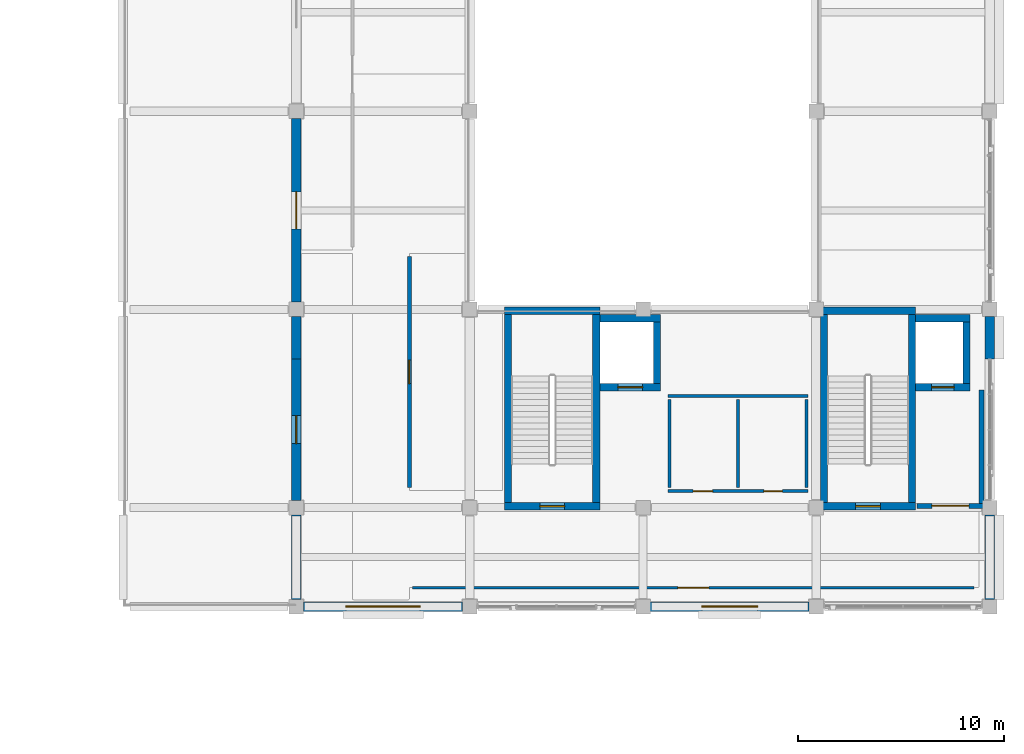
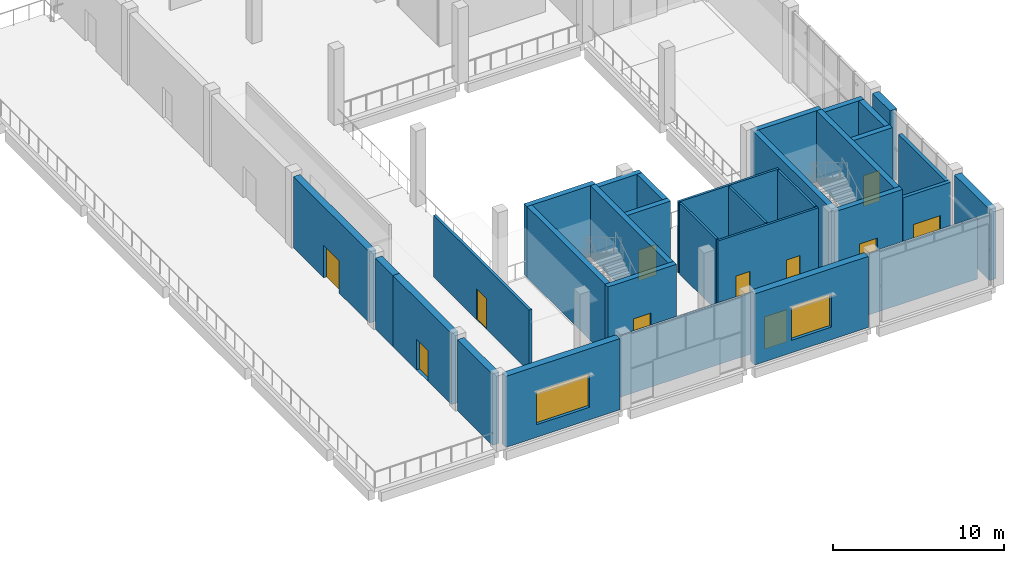
# One storey, part 59 of 83: 31 walls, 11 doors, 2 windows, 13 openings.
"""IFC4 building model written with IfcOpenShell, lengths in metres."""

import ifcopenshell
import ifcopenshell.guid

model = None  # the IFC model being written
_history = None  # IfcOwnerHistory: only IFC2X3 demands one
_inside = {}  # id of a spatial element -> (the spatial element, [elements in it])
_under = {}  # id of a project, library or spatial element -> (it, [spatial elements below it])
_declared = {}  # id of a project -> (the project, [libraries it declares])
_typed = {}  # id of a type object -> (the type object, [elements of that type])
_made_of = {}  # id of a material, layer set ... -> (it, [elements and type objects made of it])


def new_model(schema):
    """Start an empty IFC model of exactly this schema.

    Asked for "IFC4X3", IfcOpenShell would pick the latest addendum, in which some entities
    have other attributes; the version numbers below select the first issue.
    IFC2X3 requires an IfcOwnerHistory on every rooted entity: one is made here for all.
    """
    global model, _history
    if schema == "IFC4X3":
        model = ifcopenshell.file(schema_version=(4, 3, 0, 0))
    else:
        model = ifcopenshell.file(schema=schema)
    _inside.clear()
    _under.clear()
    _declared.clear()
    _typed.clear()
    _made_of.clear()
    _history = None
    if model.schema == "IFC2X3":
        org = make("IfcOrganization", Name="unknown")
        user = make(
            "IfcPersonAndOrganization",
            ThePerson=make("IfcPerson", FamilyName="unknown"),
            TheOrganization=org,
        )
        app = make(
            "IfcApplication",
            ApplicationDeveloper=org,
            Version="unknown",
            ApplicationFullName="unknown",
            ApplicationIdentifier="unknown",
        )
        _history = make(
            "IfcOwnerHistory",
            OwningUser=user,
            OwningApplication=app,
            ChangeAction="ADDED",
            CreationDate=0,
        )
    return model


def make(cls, **values):
    """One entity of the class cls with the attributes given. An attribute that is None is left unset."""
    return model.create_entity(
        cls, **{name: value for name, value in values.items() if value is not None}
    )


def rooted(cls, **values):
    """An entity with a GlobalId (a new one), such as an element, a storey or a relation."""
    return make(cls, GlobalId=ifcopenshell.guid.new(), OwnerHistory=_history, **values)


def si_unit(unit_type, name, prefix=None):
    """IfcSIUnit, for example si_unit("LENGTHUNIT", "METRE", prefix="MILLI")."""
    return make("IfcSIUnit", UnitType=unit_type, Prefix=prefix, Name=name)


def assignment(units):
    """IfcUnitAssignment: the units of a project."""
    return None if units is None else make("IfcUnitAssignment", Units=units)


def point(xyz):
    """IfcCartesianPoint."""
    return None if xyz is None else make("IfcCartesianPoint", Coordinates=xyz)


def direction(xyz):
    """IfcDirection."""
    return None if xyz is None else make("IfcDirection", DirectionRatios=xyz)


def frame(location, z_axis=None, x_axis=None):
    """IfcAxis2Placement3D, a coordinate frame: its origin and axes. An axis left out is left unset."""
    return make(
        "IfcAxis2Placement3D",
        Location=point(location),
        Axis=direction(z_axis),
        RefDirection=direction(x_axis),
    )


def frame_2d(location, x_axis=None):
    """IfcAxis2Placement2D, a coordinate frame in the plane: its origin and x axis."""
    return make(
        "IfcAxis2Placement2D", Location=point(location), RefDirection=direction(x_axis)
    )


def origin():
    """The frame at (0, 0, 0) with its axes left unset."""
    return frame((0.0, 0.0, 0.0))


def place(relative_to, where):
    """IfcLocalPlacement: puts the frame where relative to a parent placement (None: the world)."""
    return make(
        "IfcLocalPlacement", PlacementRelTo=relative_to, RelativePlacement=where
    )


def context(
    kind, dimensions, precision=None, world=None, true_north=None, identifier=None
):
    """IfcGeometricRepresentationContext, for example the 3D "Model" context."""
    return make(
        "IfcGeometricRepresentationContext",
        ContextIdentifier=identifier,
        ContextType=kind,
        CoordinateSpaceDimension=dimensions,
        Precision=precision,
        WorldCoordinateSystem=world,
        TrueNorth=true_north,
    )


def subcontext(parent, identifier, kind, view, scale=None):
    """IfcGeometricRepresentationSubContext, for example "Body" below "Model"."""
    return make(
        "IfcGeometricRepresentationSubContext",
        ContextIdentifier=identifier,
        ContextType=kind,
        ParentContext=parent,
        TargetScale=scale,
        TargetView=view,
    )


def project(units=None, contexts=None):
    """IfcProject with its units and contexts."""
    return rooted(
        "IfcProject",
        Name="project",
        RepresentationContexts=contexts,
        UnitsInContext=assignment(units),
    )


def spatial(cls, under=None, at=None, **own):
    """A site, building, storey or space (cls), placed at a placement, below another one or the project."""
    s = rooted(cls, ObjectPlacement=at, **own)
    if under is not None:
        _under.setdefault(under.id(), (under, []))[1].append(s)
    return s


def profile(cls, at=None, kind="AREA", **sizes):
    """A parametric profile (cls). Its sizes go by their IFC names, for example OverallWidth=200.0."""
    return make(cls, ProfileType=kind, Position=at, **sizes)


def rectangle(**sizes):
    """IfcRectangleProfileDef."""
    return profile("IfcRectangleProfileDef", **sizes)


def extrude(swept, where, along, depth):
    """IfcExtrudedAreaSolid: the profile swept, set in the frame where, extruded along a direction by depth."""
    return make(
        "IfcExtrudedAreaSolid",
        SweptArea=swept,
        Position=where,
        ExtrudedDirection=direction(along),
        Depth=depth,
    )


def shape(context_of_items, identifier, shape_type, items):
    """IfcShapeRepresentation: the items that make up one representation, for example the "Body"."""
    return make(
        "IfcShapeRepresentation",
        ContextOfItems=context_of_items,
        RepresentationIdentifier=identifier,
        RepresentationType=shape_type,
        Items=items,
    )


def material(Name=None, Category=None):
    """IfcMaterial."""
    return make("IfcMaterial", Name=Name, Category=Category)


def layer(
    of_material, thickness, ventilated=None, Name=None, Category=None, Priority=None
):
    """IfcMaterialLayer: one layer of a wall or slab, of a material (None: an air gap)."""
    return make(
        "IfcMaterialLayer",
        Material=of_material,
        LayerThickness=thickness,
        IsVentilated=ventilated,
        Name=Name,
        Category=Category,
        Priority=Priority,
    )


def layer_set(layers, Name=None):
    """IfcMaterialLayerSet."""
    return make("IfcMaterialLayerSet", MaterialLayers=layers, LayerSetName=Name)


def made_of(thing, what):
    """Note that an element or type object is made of a material, layer set ...; save() writes the relation."""
    if what is not None:
        _made_of.setdefault(what.id(), (what, []))[1].append(thing)
    return thing


def type_object(cls, material=None, **own):
    """A type object (cls), such as IfcWallType, which elements share."""
    return made_of(rooted(cls, **own), material)


def element(
    cls,
    number,
    at=None,
    inside=None,
    cuts=None,
    type_object=None,
    material=None,
    context=None,
    identifier="Body",
    shape_type=None,
    held_by="IfcProductDefinitionShape",
    body=None,
    shapes=None,
    **own,
):
    """One element of the class cls, such as IfcWall. Its Tag is "e" and its number.

    at: its placement. inside: the storey or other place that contains it. cuts: it is an
    opening in that element (IfcRelVoidsElement). A single representation is given by context,
    identifier, shape_type and body (its items); several are given by shapes. held_by: the class
    of the entity that holds the representations. save() writes the other relations.
    """
    e = rooted(cls, Tag="e%d" % number, ObjectPlacement=at, **own)
    if body is not None:
        shapes = [shape(context, identifier, shape_type, body)]
    if shapes is not None:
        e.Representation = make(held_by, Representations=shapes)
    if inside is not None:
        _inside.setdefault(inside.id(), (inside, []))[1].append(e)
    if cuts is not None:
        rooted(
            "IfcRelVoidsElement", RelatingBuildingElement=cuts, RelatedOpeningElement=e
        )
    if type_object is not None:
        _typed.setdefault(type_object.id(), (type_object, []))[1].append(e)
    return made_of(e, material)


def fill(opening, filler):
    """IfcRelFillsElement: the door or window that sits in an opening."""
    return rooted(
        "IfcRelFillsElement",
        RelatingOpeningElement=opening,
        RelatedBuildingElement=filler,
    )


def aggregate(whole, parts):
    """IfcRelAggregates: a whole, such as a stair, and the parts it consists of."""
    return rooted("IfcRelAggregates", RelatingObject=whole, RelatedObjects=parts)


def save(model, path):
    """Write the relations noted so far, then the file.

    IfcRelAggregates (storeys below a building ...), IfcRelContainedInSpatialStructure (elements
    in a storey), IfcRelDefinesByType, IfcRelAssociatesMaterial and IfcRelDeclares: one each for
    every whole, place, type object, material and project.
    """
    for whole, parts in _under.values():
        aggregate(whole, parts)
    for where, things in _inside.values():
        rooted(
            "IfcRelContainedInSpatialStructure",
            RelatedElements=things,
            RelatingStructure=where,
        )
    for kind, things in _typed.values():
        rooted("IfcRelDefinesByType", RelatedObjects=things, RelatingType=kind)
    for what, things in _made_of.values():
        rooted("IfcRelAssociatesMaterial", RelatedObjects=things, RelatingMaterial=what)
    for by, libraries in _declared.values():
        rooted("IfcRelDeclares", RelatingContext=by, RelatedDefinitions=libraries)
    model.write(path)


model = new_model("IFC4")

# Units and contexts
model_context = context("Model", 3, precision=1e-05, world=origin(), true_north=direction((0.0, 1.0)))
body_context = subcontext(model_context, "Body", "Model", "MODEL_VIEW")
ifc_project = project(units=[si_unit("LENGTHUNIT", "METRE"), si_unit("AREAUNIT", "SQUARE_METRE"), si_unit("VOLUMEUNIT", "CUBIC_METRE"), si_unit("PLANEANGLEUNIT", "RADIAN"), si_unit("MASSUNIT", "GRAM", prefix="KILO")], contexts=[model_context])

# Site, building, storey
site_placement = place(None, origin())
site = spatial("IfcSite", under=ifc_project, at=site_placement, CompositionType="ELEMENT")
building_placement = place(site_placement, origin())
building = spatial("IfcBuilding", under=site, at=building_placement, Name="Shalvenor Court Art Gallery", CompositionType="ELEMENT")
storey_placement = place(building_placement, frame((0.0, 0.0, 6.0)))
storey = spatial("IfcBuildingStorey", under=building, at=storey_placement, Name="L01", CompositionType="ELEMENT", Elevation=6.0)

# Walls
ifc_material_1 = material(Name="Concrete C40/50", Category="concrete")
ifc_layer_1 = layer(ifc_material_1, 0.35009765625, Name="Concrete C40/50")
ifc_layer_set_1 = layer_set([ifc_layer_1], Name="Concrete C40/50")
wall_type_1 = type_object("IfcWallType", Name="CW-W1", PredefinedType="SHEAR", material=ifc_layer_set_1)
wall_1_placement = place(storey_placement, frame((168.18798828125, 59.93701171875, 0.0), z_axis=(0.0, 0.0, 1.0), x_axis=(1.0, 0.0, 0.0)))
element("IfcWall", 1, at=wall_1_placement, inside=storey, type_object=wall_type_1, Name="L01 C2 Stair Core Shear Wall N", PredefinedType="SHEAR", context=body_context, shape_type="SweptSolid", body=[
    extrude(rectangle(XDim=4.6240234375, YDim=0.35009765625, at=frame_2d((2.31201171875, 0.0))), origin(), (0.0, 0.0, 1.0), 5.080078125),
])
wall_2_placement = place(storey_placement, frame((172.636962890625, 59.761962890625, 0.0), z_axis=(0.0, 0.0, 1.0), x_axis=(0.0, -1.0, 0.0)))
element("IfcWall", 2, at=wall_2_placement, inside=storey, type_object=wall_type_1, Name="L01 C2 Stair Core Shear Wall E", PredefinedType="SHEAR", context=body_context, shape_type="SweptSolid", body=[
    extrude(rectangle(XDim=9.1240234375, YDim=0.35009765625, at=frame_2d((4.56201171875, 0.0))), origin(), (0.0, 0.0, 1.0), 5.080078125),
])

# Wall, opening, door
wall_3_placement = place(storey_placement, frame((172.81201171875, 50.462890625, 0.0), z_axis=(0.0, 0.0, 1.0), x_axis=(-1.0, 0.0, 0.0)))
wall_3 = element("IfcWall", 3, at=wall_3_placement, inside=storey, type_object=wall_type_1, Name="L01 C2 Stair Core Shear Wall S", PredefinedType="SHEAR", context=body_context, shape_type="SweptSolid", body=[
    extrude(rectangle(XDim=4.6240234375, YDim=0.35009765625, at=frame_2d((2.31201171875, 0.0))), origin(), (0.0, 0.0, 1.0), 5.080078125),
])
opening_1_placement = place(wall_3_placement, frame((1.7119140625, 0.0, 0.0)))
opening_1 = element("IfcOpeningElement", 4, at=opening_1_placement, cuts=wall_3, Name="Opening FD-01", PredefinedType="OPENING", context=body_context, shape_type="SweptSolid", body=[
    extrude(rectangle(XDim=1.199951171875, YDim=2.199951171875, at=frame_2d((0.60009765625, 1.10009765625))), frame((0.0, 0.18505859375, 0.0), z_axis=(0.0, -1.0, 0.0), x_axis=(1.0, 0.0, 0.0)), (0.0, 0.0, 1.0), 0.3701171875),
])
ifc_material_2 = material(Name="Fire-rated steel stair doorset", Category="steel")
door_type_1 = type_object("IfcDoorType", Name="FD-01", OperationType="NOTDEFINED", PredefinedType="DOOR", material=ifc_material_2)
door_1_placement = place(opening_1_placement, origin())
door_1 = element("IfcDoor", 5, at=door_1_placement, inside=storey, type_object=door_type_1, Name="DR-ST-L01-C2 L01 ST-02 Fire Stair Door", OperationType="SINGLE_SWING_LEFT", OverallHeight=2.199951171875, OverallWidth=1.199951171875, PredefinedType="DOOR", context=body_context, shape_type="SweptSolid", body=[
    extrude(rectangle(XDim=1.199951171875, YDim=2.199951171875, at=frame_2d((0.60009765625, 1.10009765625))), frame((0.0, 0.02490234375, 0.0), z_axis=(0.0, -1.0, 0.0), x_axis=(1.0, 0.0, 0.0)), (0.0, 0.0, 1.0), 0.050048828125),
])
fill(opening_1, door_1)

# Walls
wall_4_placement = place(storey_placement, frame((168.363037109375, 50.637939453125, 0.0), z_axis=(0.0, 0.0, 1.0), x_axis=(0.0, 1.0, 0.0)))
element("IfcWall", 6, at=wall_4_placement, inside=storey, type_object=wall_type_1, Name="L01 C2 Stair Core Shear Wall W", PredefinedType="SHEAR", context=body_context, shape_type="SweptSolid", body=[
    extrude(rectangle(XDim=9.1240234375, YDim=0.35009765625, at=frame_2d((4.56201171875, 0.0))), origin(), (0.0, 0.0, 1.0), 5.080078125),
])
wall_5_placement = place(storey_placement, frame((172.81201171875, 59.574951171875, 0.0), z_axis=(0.0, 0.0, 1.0), x_axis=(1.0, 0.0, 0.0)))
element("IfcWall", 7, at=wall_5_placement, inside=storey, type_object=wall_type_1, Name="L01 FL-02 Lift Shaft Wall N", PredefinedType="SHEAR", context=body_context, shape_type="SweptSolid", body=[
    extrude(rectangle(XDim=2.637939453125, YDim=0.35009765625, at=frame_2d((1.31884765625, 0.0))), origin(), (0.0, 0.0, 1.0), 5.080078125),
])
wall_6_placement = place(storey_placement, frame((175.27490234375, 59.39990234375, 0.0), z_axis=(0.0, 0.0, 1.0), x_axis=(0.0, -1.0, 0.0)))
element("IfcWall", 8, at=wall_6_placement, inside=storey, type_object=wall_type_1, Name="L01 FL-02 Lift Shaft Wall E", PredefinedType="SHEAR", context=body_context, shape_type="SweptSolid", body=[
    extrude(rectangle(XDim=3.0, YDim=0.35009765625, at=frame_2d((1.5, 0.0))), origin(), (0.0, 0.0, 1.0), 5.080078125),
])

# Wall, opening, door
wall_7_placement = place(storey_placement, frame((175.449951171875, 56.22509765625, 0.0), z_axis=(0.0, 0.0, 1.0), x_axis=(-1.0, 0.0, 0.0)))
wall_7 = element("IfcWall", 9, at=wall_7_placement, inside=storey, type_object=wall_type_1, Name="L01 FL-02 Lift Shaft Wall S", PredefinedType="SHEAR", context=body_context, shape_type="SweptSolid", body=[
    extrude(rectangle(XDim=2.637939453125, YDim=0.35009765625, at=frame_2d((1.31884765625, 0.0))), origin(), (0.0, 0.0, 1.0), 5.080078125),
])
opening_2_placement = place(wall_7_placement, frame((0.76904296875, 0.0, 0.0)))
opening_2 = element("IfcOpeningElement", 10, at=opening_2_placement, cuts=wall_7, Name="Opening LD-01", PredefinedType="OPENING", context=body_context, shape_type="SweptSolid", body=[
    extrude(rectangle(XDim=1.10009765625, YDim=2.199951171875, at=frame_2d((0.550048828125, 1.10009765625))), frame((0.0, 0.18505859375, 0.0), z_axis=(0.0, -1.0, 0.0), x_axis=(1.0, 0.0, 0.0)), (0.0, 0.0, 1.0), 0.3701171875),
])
ifc_material_3 = material(Name="Stainless steel firefighting lift sliding landing door", Category="steel")
door_type_2 = type_object("IfcDoorType", Name="LD-01", OperationType="NOTDEFINED", PredefinedType="DOOR", material=ifc_material_3)
door_2_placement = place(opening_2_placement, origin())
door_2 = element("IfcDoor", 11, at=door_2_placement, inside=storey, type_object=door_type_2, Name="DR-LD-L01-FL-02 L01 FL-02 Lift Landing Sliding Door", OperationType="DOUBLE_DOOR_SLIDING", OverallHeight=2.199951171875, OverallWidth=1.10009765625, PredefinedType="DOOR", context=body_context, shape_type="SweptSolid", body=[
    extrude(rectangle(XDim=1.10009765625, YDim=2.199951171875, at=frame_2d((0.550048828125, 1.10009765625))), frame((0.0, 0.02490234375, 0.0), z_axis=(0.0, -1.0, 0.0), x_axis=(1.0, 0.0, 0.0)), (0.0, 0.0, 1.0), 0.050048828125),
])
fill(opening_2, door_2)

# Walls
wall_8_placement = place(storey_placement, frame((152.887939453125, 59.93701171875, 0.0), z_axis=(0.0, 0.0, 1.0), x_axis=(1.0, 0.0, 0.0)))
element("IfcWall", 12, at=wall_8_placement, inside=storey, type_object=wall_type_1, Name="L01 C3 Stair Core Shear Wall N", PredefinedType="SHEAR", context=body_context, shape_type="SweptSolid", body=[
    extrude(rectangle(XDim=4.6240234375, YDim=0.35009765625, at=frame_2d((2.31201171875, 0.0))), origin(), (0.0, 0.0, 1.0), 5.080078125),
])
wall_9_placement = place(storey_placement, frame((157.3369140625, 59.761962890625, 0.0), z_axis=(0.0, 0.0, 1.0), x_axis=(0.0, -1.0, 0.0)))
element("IfcWall", 13, at=wall_9_placement, inside=storey, type_object=wall_type_1, Name="L01 C3 Stair Core Shear Wall E", PredefinedType="SHEAR", context=body_context, shape_type="SweptSolid", body=[
    extrude(rectangle(XDim=9.1240234375, YDim=0.35009765625, at=frame_2d((4.56201171875, 0.0))), origin(), (0.0, 0.0, 1.0), 5.080078125),
])

# Wall, opening, door
wall_10_placement = place(storey_placement, frame((157.511962890625, 50.462890625, 0.0), z_axis=(0.0, 0.0, 1.0), x_axis=(-1.0, 0.0, 0.0)))
wall_10 = element("IfcWall", 14, at=wall_10_placement, inside=storey, type_object=wall_type_1, Name="L01 C3 Stair Core Shear Wall S", PredefinedType="SHEAR", context=body_context, shape_type="SweptSolid", body=[
    extrude(rectangle(XDim=4.6240234375, YDim=0.35009765625, at=frame_2d((2.31201171875, 0.0))), origin(), (0.0, 0.0, 1.0), 5.080078125),
])
opening_3_placement = place(wall_10_placement, frame((1.7119140625, 0.0, 0.0)))
opening_3 = element("IfcOpeningElement", 15, at=opening_3_placement, cuts=wall_10, Name="Opening FD-01", PredefinedType="OPENING", context=body_context, shape_type="SweptSolid", body=[
    extrude(rectangle(XDim=1.199951171875, YDim=2.199951171875, at=frame_2d((0.60009765625, 1.10009765625))), frame((0.0, 0.18505859375, 0.0), z_axis=(0.0, -1.0, 0.0), x_axis=(1.0, 0.0, 0.0)), (0.0, 0.0, 1.0), 0.3701171875),
])
door_3_placement = place(opening_3_placement, origin())
door_3 = element("IfcDoor", 16, at=door_3_placement, inside=storey, type_object=door_type_1, Name="DR-ST-L01-C3 L01 ST-03 Fire Stair Door", OperationType="SINGLE_SWING_RIGHT", OverallHeight=2.199951171875, OverallWidth=1.199951171875, PredefinedType="DOOR", context=body_context, shape_type="SweptSolid", body=[
    extrude(rectangle(XDim=1.199951171875, YDim=2.199951171875, at=frame_2d((0.60009765625, 1.10009765625))), frame((0.0, 0.02490234375, 0.0), z_axis=(0.0, -1.0, 0.0), x_axis=(1.0, 0.0, 0.0)), (0.0, 0.0, 1.0), 0.050048828125),
])
fill(opening_3, door_3)

# Walls
wall_11_placement = place(storey_placement, frame((153.06298828125, 50.637939453125, 0.0), z_axis=(0.0, 0.0, 1.0), x_axis=(0.0, 1.0, 0.0)))
element("IfcWall", 17, at=wall_11_placement, inside=storey, type_object=wall_type_1, Name="L01 C3 Stair Core Shear Wall W", PredefinedType="SHEAR", context=body_context, shape_type="SweptSolid", body=[
    extrude(rectangle(XDim=9.1240234375, YDim=0.35009765625, at=frame_2d((4.56201171875, 0.0))), origin(), (0.0, 0.0, 1.0), 5.080078125),
])
wall_12_placement = place(storey_placement, frame((157.511962890625, 59.574951171875, 0.0), z_axis=(0.0, 0.0, 1.0), x_axis=(1.0, 0.0, 0.0)))
element("IfcWall", 18, at=wall_12_placement, inside=storey, type_object=wall_type_1, Name="L01 PL-01 Lift Shaft Wall N", PredefinedType="SHEAR", context=body_context, shape_type="SweptSolid", body=[
    extrude(rectangle(XDim=2.93798828125, YDim=0.35009765625, at=frame_2d((1.468994140625, 0.0))), origin(), (0.0, 0.0, 1.0), 5.080078125),
])
wall_13_placement = place(storey_placement, frame((160.27490234375, 59.39990234375, 0.0), z_axis=(0.0, 0.0, 1.0), x_axis=(0.0, -1.0, 0.0)))
element("IfcWall", 19, at=wall_13_placement, inside=storey, type_object=wall_type_1, Name="L01 PL-01 Lift Shaft Wall E", PredefinedType="SHEAR", context=body_context, shape_type="SweptSolid", body=[
    extrude(rectangle(XDim=3.0, YDim=0.35009765625, at=frame_2d((1.5, 0.0))), origin(), (0.0, 0.0, 1.0), 5.080078125),
])

# Wall, opening, door
wall_14_placement = place(storey_placement, frame((160.449951171875, 56.22509765625, 0.0), z_axis=(0.0, 0.0, 1.0), x_axis=(-1.0, 0.0, 0.0)))
wall_14 = element("IfcWall", 20, at=wall_14_placement, inside=storey, type_object=wall_type_1, Name="L01 PL-01 Lift Shaft Wall S", PredefinedType="SHEAR", context=body_context, shape_type="SweptSolid", body=[
    extrude(rectangle(XDim=2.93798828125, YDim=0.35009765625, at=frame_2d((1.468994140625, 0.0))), origin(), (0.0, 0.0, 1.0), 5.080078125),
])
opening_4_placement = place(wall_14_placement, frame((0.868896484375, 0.0, 0.0)))
opening_4 = element("IfcOpeningElement", 21, at=opening_4_placement, cuts=wall_14, Name="Opening LD-02", PredefinedType="OPENING", context=body_context, shape_type="SweptSolid", body=[
    extrude(rectangle(XDim=1.199951171875, YDim=2.199951171875, at=frame_2d((0.60009765625, 1.10009765625))), frame((0.0, 0.18505859375, 0.0), z_axis=(0.0, -1.0, 0.0), x_axis=(1.0, 0.0, 0.0)), (0.0, 0.0, 1.0), 0.3701171875),
])
ifc_material_4 = material(Name="Brushed stainless passenger lift sliding landing door", Category="steel")
door_type_3 = type_object("IfcDoorType", Name="LD-02", OperationType="NOTDEFINED", PredefinedType="DOOR", material=ifc_material_4)
door_4_placement = place(opening_4_placement, origin())
door_4 = element("IfcDoor", 22, at=door_4_placement, inside=storey, type_object=door_type_3, Name="DR-LD-L01-PL-01 L01 PL-01 Lift Landing Sliding Door", OperationType="DOUBLE_DOOR_SLIDING", OverallHeight=2.199951171875, OverallWidth=1.199951171875, PredefinedType="DOOR", context=body_context, shape_type="SweptSolid", body=[
    extrude(rectangle(XDim=1.199951171875, YDim=2.199951171875, at=frame_2d((0.60009765625, 1.10009765625))), frame((0.0, 0.02490234375, 0.0), z_axis=(0.0, -1.0, 0.0), x_axis=(1.0, 0.0, 0.0)), (0.0, 0.0, 1.0), 0.050048828125),
])
fill(opening_4, door_4)

# Walls
ifc_material_5 = material(Name="Concrete C40/50", Category="concrete")
ifc_layer_2 = layer(ifc_material_5, 0.4599609375, Name="Concrete C40/50")
ifc_layer_set_2 = layer_set([ifc_layer_2], Name="Concrete C40/50")
wall_type_2 = type_object("IfcWallType", Name="EW-01", PredefinedType="SOLIDWALL", material=ifc_layer_set_2)
wall_15_placement = place(storey_placement, frame((176.39990234375, 59.64990234375, 0.0), z_axis=(0.0, 0.0, 1.0), x_axis=(0.0, -1.0, 0.0)))
element("IfcWall", 23, at=wall_15_placement, inside=storey, type_object=wall_type_2, Name="L01 V1 Exterior Wall WL-L01-0051", PredefinedType="SOLIDWALL", context=body_context, shape_type="SweptSolid", body=[
    extrude(rectangle(XDim=2.0498046875, YDim=0.4599609375, at=frame_2d((1.02490234375, 0.0))), origin(), (0.0, 0.0, 1.0), 5.080078125),
])
wall_16_placement = place(storey_placement, frame((176.39990234375, 50.050048828125, 0.0), z_axis=(0.0, 0.0, 1.0), x_axis=(0.0, -1.0, 0.0)))
element("IfcWall", 24, at=wall_16_placement, inside=storey, type_object=wall_type_2, Name="L01 V1 Exterior Wall WL-L01-0052", PredefinedType="SOLIDWALL", context=body_context, shape_type="SweptSolid", body=[
    extrude(rectangle(XDim=4.10009765625, YDim=0.4599609375, at=frame_2d((2.050048828125, 0.0))), origin(), (0.0, 0.0, 1.0), 5.080078125),
])

# Wall, opening, window
wall_17_placement = place(storey_placement, frame((167.64990234375, 45.60009765625, 0.0), z_axis=(0.0, 0.0, 1.0), x_axis=(-1.0, 0.0, 0.0)))
wall_17 = element("IfcWall", 25, at=wall_17_placement, inside=storey, type_object=wall_type_2, Name="L01 V1 Exterior Wall WL-L01-0053", PredefinedType="SOLIDWALL", context=body_context, shape_type="SweptSolid", body=[
    extrude(rectangle(XDim=7.699951171875, YDim=0.4599609375, at=frame_2d((3.85009765625, 0.0))), origin(), (0.0, 0.0, 1.0), 5.080078125),
])
opening_5_placement = place(wall_17_placement, frame((2.5, 0.0, 0.89990234375)))
opening_5 = element("IfcOpeningElement", 26, at=opening_5_placement, cuts=wall_17, Name="Opening WN-03", PredefinedType="OPENING", context=body_context, shape_type="SweptSolid", body=[
    extrude(rectangle(XDim=2.699951171875, YDim=2.39990234375, at=frame_2d((1.35009765625, 1.199951171875))), frame((0.0, 0.239990234375, 0.0), z_axis=(0.0, -1.0, 0.0), x_axis=(1.0, 0.0, 0.0)), (0.0, 0.0, 1.0), 0.47998046875),
])
ifc_material_6 = material(Name="Low-iron solar-control double IGU", Category="glass")
window_type_1 = type_object("IfcWindowType", Name="WN-03", PartitioningType="SINGLE_PANEL", PredefinedType="WINDOW", material=ifc_material_6)
window_1_placement = place(opening_5_placement, origin())
window_1 = element("IfcWindow", 27, at=window_1_placement, inside=storey, type_object=window_type_1, Name="L01 Window WIN-L01-0003", OverallHeight=2.39990234375, OverallWidth=2.699951171875, PartitioningType="SINGLE_PANEL", PredefinedType="WINDOW", context=body_context, shape_type="SweptSolid", body=[
    extrude(rectangle(XDim=2.699951171875, YDim=2.39990234375, at=frame_2d((1.35009765625, 1.199951171875))), frame((0.0, 0.030029296875, 0.0), z_axis=(0.0, -1.0, 0.0), x_axis=(1.0, 0.0, 0.0)), (0.0, 0.0, 1.0), 0.06005859375),
])
fill(opening_5, window_1)

wall_18_placement = place(storey_placement, frame((150.85009765625, 45.60009765625, 0.0), z_axis=(0.0, 0.0, 1.0), x_axis=(-1.0, 0.0, 0.0)))
wall_18 = element("IfcWall", 28, at=wall_18_placement, inside=storey, type_object=wall_type_2, Name="L01 V1 Exterior Wall WL-L01-0054", PredefinedType="SOLIDWALL", context=body_context, shape_type="SweptSolid", body=[
    extrude(rectangle(XDim=7.7001953125, YDim=0.4599609375, at=frame_2d((3.85009765625, 0.0))), origin(), (0.0, 0.0, 1.0), 5.080078125),
])
opening_6_placement = place(wall_18_placement, frame((2.050048828125, 0.0, 0.89990234375)))
opening_6 = element("IfcOpeningElement", 29, at=opening_6_placement, cuts=wall_18, Name="Opening WN-04", PredefinedType="OPENING", context=body_context, shape_type="SweptSolid", body=[
    extrude(rectangle(XDim=3.60009765625, YDim=2.39990234375, at=frame_2d((1.800048828125, 1.199951171875))), frame((0.0, 0.239990234375, 0.0), z_axis=(0.0, -1.0, 0.0), x_axis=(1.0, 0.0, 0.0)), (0.0, 0.0, 1.0), 0.47998046875),
])
ifc_material_7 = material(Name="Low-iron solar-control double IGU", Category="glass")
window_type_2 = type_object("IfcWindowType", Name="WN-04", PartitioningType="SINGLE_PANEL", PredefinedType="WINDOW", material=ifc_material_7)
window_2_placement = place(opening_6_placement, origin())
window_2 = element("IfcWindow", 30, at=window_2_placement, inside=storey, type_object=window_type_2, Name="L01 Window WIN-L01-0004", OverallHeight=2.39990234375, OverallWidth=3.60009765625, PartitioningType="SINGLE_PANEL", PredefinedType="WINDOW", context=body_context, shape_type="SweptSolid", body=[
    extrude(rectangle(XDim=3.60009765625, YDim=2.39990234375, at=frame_2d((1.800048828125, 1.199951171875))), frame((0.0, 0.030029296875, 0.0), z_axis=(0.0, -1.0, 0.0), x_axis=(1.0, 0.0, 0.0)), (0.0, 0.0, 1.0), 0.06005859375),
])
fill(opening_6, window_2)

# Wall
wall_19_placement = place(storey_placement, frame((142.800048828125, 45.949951171875, 0.0), z_axis=(0.0, 0.0, 1.0), x_axis=(0.0, 1.0, 0.0)))
element("IfcWall", 31, at=wall_19_placement, inside=storey, type_object=wall_type_2, Name="L01 V1 Exterior Wall WL-L01-0055", PredefinedType="SOLIDWALL", context=body_context, shape_type="SweptSolid", body=[
    extrude(rectangle(XDim=4.10009765625, YDim=0.4599609375, at=frame_2d((2.050048828125, 0.0))), origin(), (0.0, 0.0, 1.0), 5.080078125),
])

# Wall, opening, door
wall_20_placement = place(storey_placement, frame((142.800048828125, 50.75, 0.0), z_axis=(0.0, 0.0, 1.0), x_axis=(0.0, 1.0, 0.0)))
wall_20 = element("IfcWall", 32, at=wall_20_placement, inside=storey, type_object=wall_type_2, Name="L01 V1 Exterior Wall WL-L01-0056", PredefinedType="SOLIDWALL", context=body_context, shape_type="SweptSolid", body=[
    extrude(rectangle(XDim=6.85009765625, YDim=0.4599609375, at=frame_2d((3.425048828125, 0.0))), origin(), (0.0, 0.0, 1.0), 5.080078125),
])
opening_7_placement = place(wall_20_placement, frame((2.75, 0.0, 0.0)))
opening_7 = element("IfcOpeningElement", 33, at=opening_7_placement, cuts=wall_20, Name="Opening TD-06", PredefinedType="OPENING", context=body_context, shape_type="SweptSolid", body=[
    extrude(rectangle(XDim=1.35009765625, YDim=2.199951171875, at=frame_2d((0.675048828125, 1.10009765625))), frame((0.0, 0.239990234375, 0.0), z_axis=(0.0, -1.0, 0.0), x_axis=(1.0, 0.0, 0.0)), (0.0, 0.0, 1.0), 0.47998046875),
])
ifc_material_8 = material(Name="Anodised aluminium glazed terrace door", Category="aluminium")
door_type_4 = type_object("IfcDoorType", Name="TD-06", OperationType="NOTDEFINED", PredefinedType="DOOR", material=ifc_material_8)
door_5_placement = place(opening_7_placement, origin())
door_5 = element("IfcDoor", 34, at=door_5_placement, inside=storey, type_object=door_type_4, Name="DR-TR-018 L01 Gallery Terrace Door", OperationType="SINGLE_SWING_RIGHT", OverallHeight=2.199951171875, OverallWidth=1.35009765625, PredefinedType="DOOR", context=body_context, shape_type="SweptSolid", body=[
    extrude(rectangle(XDim=1.35009765625, YDim=2.199951171875, at=frame_2d((0.675048828125, 1.10009765625))), frame((0.0, 0.02490234375, 0.0), z_axis=(0.0, -1.0, 0.0), x_axis=(1.0, 0.0, 0.0)), (0.0, 0.0, 1.0), 0.050048828125),
])
fill(opening_7, door_5)

# Wall
wall_21_placement = place(storey_placement, frame((142.800048828125, 57.60009765625, 0.0), z_axis=(0.0, 0.0, 1.0), x_axis=(0.0, 1.0, 0.0)))
element("IfcWall", 35, at=wall_21_placement, inside=storey, type_object=wall_type_2, Name="L01 V1 Exterior Wall WL-L01-0057", PredefinedType="SOLIDWALL", context=body_context, shape_type="SweptSolid", body=[
    extrude(rectangle(XDim=2.0498046875, YDim=0.4599609375, at=frame_2d((1.02490234375, 0.0))), origin(), (0.0, 0.0, 1.0), 5.080078125),
])

# Wall, opening, door
wall_22_placement = place(storey_placement, frame((142.800048828125, 60.35009765625, 0.0), z_axis=(0.0, 0.0, 1.0), x_axis=(0.0, 1.0, 0.0)))
wall_22 = element("IfcWall", 36, at=wall_22_placement, inside=storey, type_object=wall_type_2, Name="L01 V1 Exterior Wall WL-L01-0058", PredefinedType="SOLIDWALL", context=body_context, shape_type="SweptSolid", body=[
    extrude(rectangle(XDim=8.89990234375, YDim=0.4599609375, at=frame_2d((4.449951171875, 0.0))), origin(), (0.0, 0.0, 1.0), 5.080078125),
])
opening_8_placement = place(wall_22_placement, frame((3.550048828125, 0.0, 0.0)))
opening_8 = element("IfcOpeningElement", 37, at=opening_8_placement, cuts=wall_22, Name="Opening TD-01", PredefinedType="OPENING", context=body_context, shape_type="SweptSolid", body=[
    extrude(rectangle(XDim=1.800048828125, YDim=2.300048828125, at=frame_2d((0.89990234375, 1.14990234375))), frame((0.0, 0.239990234375, 0.0), z_axis=(0.0, -1.0, 0.0), x_axis=(1.0, 0.0, 0.0)), (0.0, 0.0, 1.0), 0.47998046875),
])
ifc_material_9 = material(Name="Anodised aluminium glazed terrace door", Category="aluminium")
door_type_5 = type_object("IfcDoorType", Name="TD-01", OperationType="NOTDEFINED", PredefinedType="DOOR", material=ifc_material_9)
door_6_placement = place(opening_8_placement, origin())
door_6 = element("IfcDoor", 38, at=door_6_placement, inside=storey, type_object=door_type_5, Name="DR-TR-019 L01 Gallery Terrace Door", OperationType="DOUBLE_DOOR_SINGLE_SWING", OverallHeight=2.300048828125, OverallWidth=1.800048828125, PredefinedType="DOOR", context=body_context, shape_type="SweptSolid", body=[
    extrude(rectangle(XDim=1.800048828125, YDim=2.300048828125, at=frame_2d((0.89990234375, 1.14990234375))), frame((0.0, 0.02490234375, 0.0), z_axis=(0.0, -1.0, 0.0), x_axis=(1.0, 0.0, 0.0)), (0.0, 0.0, 1.0), 0.050048828125),
])
fill(opening_8, door_6)

# Wall
ifc_material_10 = material(Name="Concrete blockwork fire wall", Category="masonry")
ifc_layer_3 = layer(ifc_material_10, 0.239990234375, Name="Concrete blockwork fire wall")
ifc_layer_set_3 = layer_set([ifc_layer_3], Name="Concrete blockwork fire wall")
wall_type_3 = type_object("IfcWallType", Name="FW-01", PredefinedType="PARTITIONING", material=ifc_layer_set_3)
wall_23_placement = place(storey_placement, frame((176.0, 56.10009765625, 0.0), z_axis=(0.0, 0.0, 1.0), x_axis=(0.0, -1.0, 0.0)))
element("IfcWall", 39, at=wall_23_placement, inside=storey, type_object=wall_type_3, Name="L01 C2 Firefighting Lobby Wall E", PredefinedType="PARTITIONING", context=body_context, shape_type="SweptSolid", body=[
    extrude(rectangle(XDim=5.5, YDim=0.239990234375, at=frame_2d((2.75, 0.0))), origin(), (0.0, 0.0, 1.0), 4.405029296875),
])

# Wall, opening, door
wall_24_placement = place(storey_placement, frame((176.1201171875, 50.47998046875, 0.0), z_axis=(0.0, 0.0, 1.0), x_axis=(-1.0, 0.0, 0.0)))
wall_24 = element("IfcWall", 40, at=wall_24_placement, inside=storey, type_object=wall_type_3, Name="L01 C2 Firefighting Lobby Wall S", PredefinedType="PARTITIONING", context=body_context, shape_type="SweptSolid", body=[
    extrude(rectangle(XDim=3.25, YDim=0.239990234375, at=frame_2d((1.625, 0.0))), origin(), (0.0, 0.0, 1.0), 4.405029296875),
])
opening_9_placement = place(wall_24_placement, frame((0.72509765625, 0.0, 0.0)))
opening_9 = element("IfcOpeningElement", 41, at=opening_9_placement, cuts=wall_24, Name="Opening FD-02", PredefinedType="OPENING", context=body_context, shape_type="SweptSolid", body=[
    extrude(rectangle(XDim=1.800048828125, YDim=2.25, at=frame_2d((0.89990234375, 1.125))), frame((0.0, 0.1298828125, 0.0), z_axis=(0.0, -1.0, 0.0), x_axis=(1.0, 0.0, 0.0)), (0.0, 0.0, 1.0), 0.260009765625),
])
ifc_material_11 = material(Name="Fire-rated double lobby doorset", Category="steel")
door_type_6 = type_object("IfcDoorType", Name="FD-02", OperationType="NOTDEFINED", PredefinedType="DOOR", material=ifc_material_11)
door_7_placement = place(opening_9_placement, origin())
door_7 = element("IfcDoor", 42, at=door_7_placement, inside=storey, type_object=door_type_6, Name="DR-FFL-L01-C2 L01 C2 Firefighting Lobby Double Door", OperationType="DOUBLE_DOOR_SINGLE_SWING", OverallHeight=2.25, OverallWidth=1.800048828125, PredefinedType="DOOR", context=body_context, shape_type="SweptSolid", body=[
    extrude(rectangle(XDim=1.800048828125, YDim=2.25, at=frame_2d((0.89990234375, 1.125))), frame((0.0, 0.02490234375, 0.0), z_axis=(0.0, -1.0, 0.0), x_axis=(1.0, 0.0, 0.0)), (0.0, 0.0, 1.0), 0.050048828125),
])
fill(opening_9, door_7)

ifc_material_12 = material(Name="Plywood-backed acoustic art-hanging partition", Category="wood")
ifc_layer_4 = layer(ifc_material_12, 0.179931640625, Name="Plywood-backed acoustic art-hanging partition")
ifc_layer_set_4 = layer_set([ifc_layer_4], Name="Plywood-backed acoustic art-hanging partition")
wall_type_4 = type_object("IfcWallType", Name="PT-01", PredefinedType="PARTITIONING", material=ifc_layer_set_4)
wall_25_placement = place(storey_placement, frame((148.280029296875, 51.3798828125, 0.0), z_axis=(0.0, 0.0, 1.0), x_axis=(0.0, 1.0, 0.0)))
wall_25 = element("IfcWall", 43, at=wall_25_placement, inside=storey, type_object=wall_type_4, Name="L01 Permanent Painting Gallery Wing B Partition 621", PredefinedType="PARTITIONING", context=body_context, shape_type="SweptSolid", body=[
    extrude(rectangle(XDim=11.190185546875, YDim=0.179931640625, at=frame_2d((5.59521484375, 0.0))), origin(), (0.0, 0.0, 1.0), 4.405029296875),
])
opening_10_placement = place(wall_25_placement, frame((5.02001953125, 0.0, 0.0)))
opening_10 = element("IfcOpeningElement", 44, at=opening_10_placement, cuts=wall_25, Name="Opening ID-10", PredefinedType="OPENING", context=body_context, shape_type="SweptSolid", body=[
    extrude(rectangle(XDim=1.14990234375, YDim=2.199951171875, at=frame_2d((0.574951171875, 1.10009765625))), frame((0.0, 0.099853515625, 0.0), z_axis=(0.0, -1.0, 0.0), x_axis=(1.0, 0.0, 0.0)), (0.0, 0.0, 1.0), 0.199951171875),
])
ifc_material_13 = material(Name="Acoustic conservation lab single doorset", Category="steel")
door_type_7 = type_object("IfcDoorType", Name="ID-10", OperationType="NOTDEFINED", PredefinedType="DOOR", material=ifc_material_13)
door_8_placement = place(opening_10_placement, origin())
door_8 = element("IfcDoor", 45, at=door_8_placement, inside=storey, type_object=door_type_7, Name="DR-RM-L01-0152 L01 Permanent Painting Gallery Wing B Door", OperationType="SINGLE_SWING_LEFT", OverallHeight=2.199951171875, OverallWidth=1.14990234375, PredefinedType="DOOR", context=body_context, shape_type="SweptSolid", body=[
    extrude(rectangle(XDim=1.14990234375, YDim=2.199951171875, at=frame_2d((0.574951171875, 1.10009765625))), frame((0.0, 0.02490234375, 0.0), z_axis=(0.0, -1.0, 0.0), x_axis=(1.0, 0.0, 0.0)), (0.0, 0.0, 1.0), 0.050048828125),
])
fill(opening_10, door_8)

# Wall, openings, doors
ifc_material_14 = material(Name="Moisture-resistant sanitary partition", Category="other")
ifc_layer_5 = layer(ifc_material_14, 0.14990234375, Name="Moisture-resistant sanitary partition")
ifc_layer_set_5 = layer_set([ifc_layer_5], Name="Moisture-resistant sanitary partition")
wall_type_5 = type_object("IfcWallType", Name="PT-03", PredefinedType="PARTITIONING", material=ifc_layer_set_5)
wall_26_placement = place(storey_placement, frame((167.60009765625, 51.199951171875, 0.0), z_axis=(0.0, 0.0, 1.0), x_axis=(-1.0, 0.0, 0.0)))
wall_26 = element("IfcWall", 46, at=wall_26_placement, inside=storey, type_object=wall_type_5, Name="L01 C2 Restroom Front Partition", PredefinedType="PARTITIONING", context=body_context, shape_type="SweptSolid", body=[
    extrude(rectangle(XDim=6.800048828125, YDim=0.14990234375, at=frame_2d((3.39990234375, 0.0))), origin(), (0.0, 0.0, 1.0), 5.080078125),
])
opening_11_placement = place(wall_26_placement, frame((1.25, 0.0, 0.0)))
opening_11 = element("IfcOpeningElement", 47, at=opening_11_placement, cuts=wall_26, Name="Opening ID-07", PredefinedType="OPENING", context=body_context, shape_type="SweptSolid", body=[
    extrude(rectangle(XDim=0.89990234375, YDim=2.10009765625, at=frame_2d((0.449951171875, 1.050048828125))), frame((0.0, 0.0849609375, 0.0), z_axis=(0.0, -1.0, 0.0), x_axis=(1.0, 0.0, 0.0)), (0.0, 0.0, 1.0), 0.169921875),
])
opening_12_placement = place(wall_26_placement, frame((4.625, 0.0, 0.0)))
opening_12 = element("IfcOpeningElement", 48, at=opening_12_placement, cuts=wall_26, Name="Opening ID-06", PredefinedType="OPENING", context=body_context, shape_type="SweptSolid", body=[
    extrude(rectangle(XDim=0.949951171875, YDim=2.14990234375, at=frame_2d((0.47509765625, 1.074951171875))), frame((0.0, 0.0849609375, 0.0), z_axis=(0.0, -1.0, 0.0), x_axis=(1.0, 0.0, 0.0)), (0.0, 0.0, 1.0), 0.169921875),
])
ifc_material_15 = material(Name="Accessible restroom doorset", Category="steel")
door_type_8 = type_object("IfcDoorType", Name="ID-06", OperationType="NOTDEFINED", PredefinedType="DOOR", material=ifc_material_15)
door_9_placement = place(opening_12_placement, origin())
door_9 = element("IfcDoor", 49, at=door_9_placement, inside=storey, type_object=door_type_8, Name="DR-AWC-L01-C2-2 L01 C2 Accessible Restroom Door", OperationType="SINGLE_SWING_LEFT", OverallHeight=2.14990234375, OverallWidth=0.949951171875, PredefinedType="DOOR", context=body_context, shape_type="SweptSolid", body=[
    extrude(rectangle(XDim=0.949951171875, YDim=2.14990234375, at=frame_2d((0.47509765625, 1.074951171875))), frame((0.0, 0.02490234375, 0.0), z_axis=(0.0, -1.0, 0.0), x_axis=(1.0, 0.0, 0.0)), (0.0, 0.0, 1.0), 0.050048828125),
])
fill(opening_12, door_9)
ifc_material_16 = material(Name="Restroom timber doorset", Category="wood")
door_type_9 = type_object("IfcDoorType", Name="ID-07", OperationType="NOTDEFINED", PredefinedType="DOOR", material=ifc_material_16)
door_10_placement = place(opening_11_placement, origin())
door_10 = element("IfcDoor", 50, at=door_10_placement, inside=storey, type_object=door_type_9, Name="DR-WC-L01-C2-1 L01 C2 Public Restroom Door", OperationType="SINGLE_SWING_RIGHT", OverallHeight=2.10009765625, OverallWidth=0.89990234375, PredefinedType="DOOR", context=body_context, shape_type="SweptSolid", body=[
    extrude(rectangle(XDim=0.89990234375, YDim=2.10009765625, at=frame_2d((0.449951171875, 1.050048828125))), frame((0.0, 0.02490234375, 0.0), z_axis=(0.0, -1.0, 0.0), x_axis=(1.0, 0.0, 0.0)), (0.0, 0.0, 1.0), 0.050048828125),
])
fill(opening_11, door_10)

# Walls
wall_27_placement = place(storey_placement, frame((160.800048828125, 55.800048828125, 0.0), z_axis=(0.0, 0.0, 1.0), x_axis=(1.0, 0.0, 0.0)))
element("IfcWall", 51, at=wall_27_placement, inside=storey, type_object=wall_type_5, Name="L01 C2 Restroom Back Partition", PredefinedType="PARTITIONING", context=body_context, shape_type="SweptSolid", body=[
    extrude(rectangle(XDim=6.800048828125, YDim=0.14990234375, at=frame_2d((3.39990234375, 0.0))), origin(), (0.0, 0.0, 1.0), 5.080078125),
])
for number, where, z_axis, x_axis, name in (
    (52, (160.875, 51.360107421875, 0.0), (0.0, 0.0, 1.0), (0.0, 1.0, 0.0), "L01 C2 Restroom Partition L"),
    (53, (164.199951171875, 51.360107421875, 0.0), (0.0, 0.0, 1.0), (0.0, 1.0, 0.0), "L01 C2 Restroom Partition M"),
    (54, (167.52490234375, 51.360107421875, 0.0), (0.0, 0.0, 1.0), (0.0, 1.0, 0.0), "L01 C2 Restroom Partition R"),
):
    element("IfcWall", number, at=place(storey_placement, frame(where, z_axis=z_axis, x_axis=x_axis)), inside=storey, type_object=wall_type_5, Name=name, PredefinedType="PARTITIONING", context=body_context, shape_type="SweptSolid", body=[
        extrude(rectangle(XDim=4.27978515625, YDim=0.14990234375, at=frame_2d((2.139892578125, 0.0))), origin(), (0.0, 0.0, 1.0), 5.080078125),
    ])

# Wall, opening, door
ifc_material_17 = material(Name="Lightweight office gypsum partition", Category="other")
ifc_layer_6 = layer(ifc_material_17, 0.1201171875, Name="Lightweight office gypsum partition")
ifc_layer_set_6 = layer_set([ifc_layer_6], Name="Lightweight office gypsum partition")
wall_type_6 = type_object("IfcWallType", Name="PT-05", PredefinedType="PARTITIONING", material=ifc_layer_set_6)
wall_28_placement = place(storey_placement, frame((148.429931640625, 46.52001953125, 0.0), z_axis=(0.0, 0.0, 1.0), x_axis=(1.0, 0.0, 0.0)))
wall_28 = element("IfcWall", 55, at=wall_28_placement, inside=storey, type_object=wall_type_6, Name="L01 Permanent Painting Gallery Partition 620", PredefinedType="PARTITIONING", context=body_context, shape_type="SweptSolid", body=[
    extrude(rectangle(XDim=27.219970703125, YDim=0.1201171875, at=frame_2d((13.60986328125, 0.0))), origin(), (0.0, 0.0, 1.0), 4.35498046875),
])
opening_13_placement = place(wall_28_placement, frame((12.860107421875, 0.0, 0.0)))
opening_13 = element("IfcOpeningElement", 56, at=opening_13_placement, cuts=wall_28, Name="Opening ID-09", PredefinedType="OPENING", context=body_context, shape_type="SweptSolid", body=[
    extrude(rectangle(XDim=1.5, YDim=2.300048828125, at=frame_2d((0.75, 1.14990234375))), frame((0.0, 0.070068359375, 0.0), z_axis=(0.0, -1.0, 0.0), x_axis=(1.0, 0.0, 0.0)), (0.0, 0.0, 1.0), 0.14013671875),
])
ifc_material_18 = material(Name="Oak-veneered seminar double doorset", Category="wood")
door_type_10 = type_object("IfcDoorType", Name="ID-09", OperationType="NOTDEFINED", PredefinedType="DOOR", material=ifc_material_18)
door_11_placement = place(opening_13_placement, origin())
door_11 = element("IfcDoor", 57, at=door_11_placement, inside=storey, type_object=door_type_10, Name="DR-RM-L01-0151 L01 Permanent Painting Gallery Door", OperationType="DOUBLE_DOOR_SINGLE_SWING", OverallHeight=2.300048828125, OverallWidth=1.5, PredefinedType="DOOR", context=body_context, shape_type="SweptSolid", body=[
    extrude(rectangle(XDim=1.5, YDim=2.300048828125, at=frame_2d((0.75, 1.14990234375))), frame((0.0, 0.02490234375, 0.0), z_axis=(0.0, -1.0, 0.0), x_axis=(1.0, 0.0, 0.0)), (0.0, 0.0, 1.0), 0.050048828125),
])
fill(opening_13, door_11)

save(model, "model.ifc")
